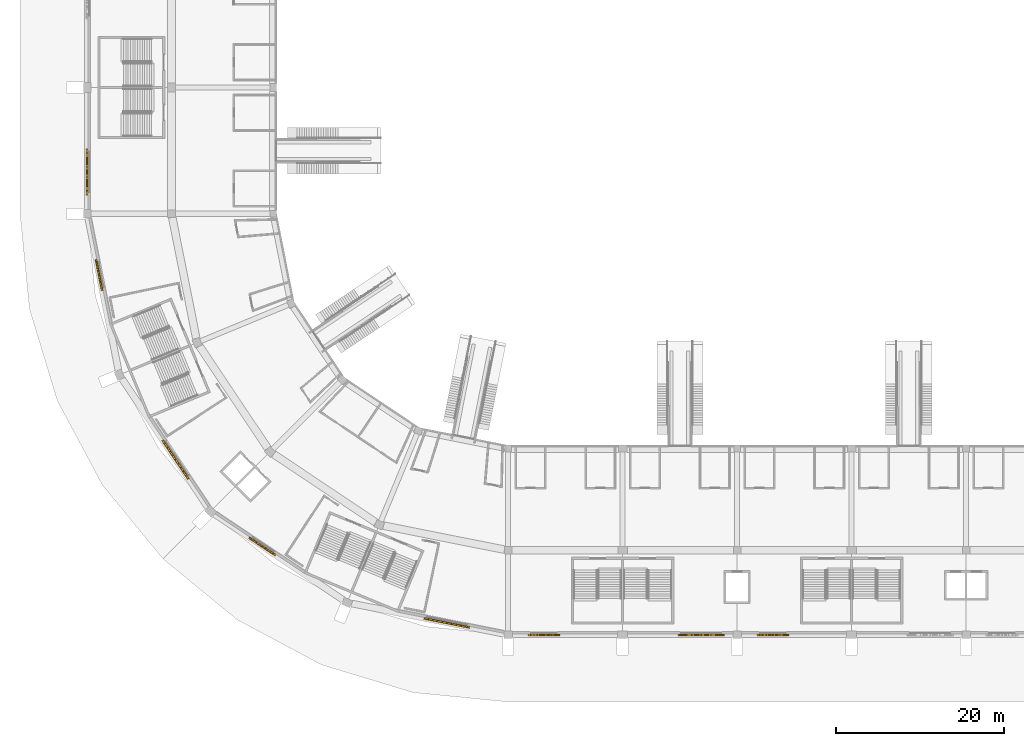
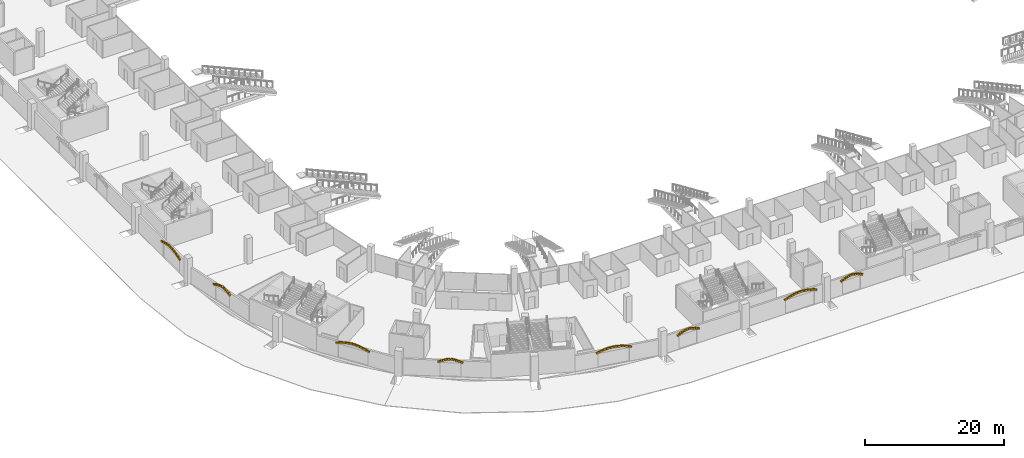
# One storey, part 168 of 175: 80 coverings.
"""IFC4 building model written with IfcOpenShell, lengths in metres."""

import ifcopenshell
import ifcopenshell.guid

model = None  # the IFC model being written
_history = None  # IfcOwnerHistory: only IFC2X3 demands one
_inside = {}  # id of a spatial element -> (the spatial element, [elements in it])
_under = {}  # id of a project, library or spatial element -> (it, [spatial elements below it])
_declared = {}  # id of a project -> (the project, [libraries it declares])
_typed = {}  # id of a type object -> (the type object, [elements of that type])
_made_of = {}  # id of a material, layer set ... -> (it, [elements and type objects made of it])


def new_model(schema):
    """Start an empty IFC model of exactly this schema.

    Asked for "IFC4X3", IfcOpenShell would pick the latest addendum, in which some entities
    have other attributes; the version numbers below select the first issue.
    IFC2X3 requires an IfcOwnerHistory on every rooted entity: one is made here for all.
    """
    global model, _history
    if schema == "IFC4X3":
        model = ifcopenshell.file(schema_version=(4, 3, 0, 0))
    else:
        model = ifcopenshell.file(schema=schema)
    _inside.clear()
    _under.clear()
    _declared.clear()
    _typed.clear()
    _made_of.clear()
    _history = None
    if model.schema == "IFC2X3":
        org = make("IfcOrganization", Name="unknown")
        user = make(
            "IfcPersonAndOrganization",
            ThePerson=make("IfcPerson", FamilyName="unknown"),
            TheOrganization=org,
        )
        app = make(
            "IfcApplication",
            ApplicationDeveloper=org,
            Version="unknown",
            ApplicationFullName="unknown",
            ApplicationIdentifier="unknown",
        )
        _history = make(
            "IfcOwnerHistory",
            OwningUser=user,
            OwningApplication=app,
            ChangeAction="ADDED",
            CreationDate=0,
        )
    return model


def make(cls, **values):
    """One entity of the class cls with the attributes given. An attribute that is None is left unset."""
    return model.create_entity(
        cls, **{name: value for name, value in values.items() if value is not None}
    )


def rooted(cls, **values):
    """An entity with a GlobalId (a new one), such as an element, a storey or a relation."""
    return make(cls, GlobalId=ifcopenshell.guid.new(), OwnerHistory=_history, **values)


def si_unit(unit_type, name, prefix=None):
    """IfcSIUnit, for example si_unit("LENGTHUNIT", "METRE", prefix="MILLI")."""
    return make("IfcSIUnit", UnitType=unit_type, Prefix=prefix, Name=name)


def assignment(units):
    """IfcUnitAssignment: the units of a project."""
    return None if units is None else make("IfcUnitAssignment", Units=units)


def point(xyz):
    """IfcCartesianPoint."""
    return None if xyz is None else make("IfcCartesianPoint", Coordinates=xyz)


def direction(xyz):
    """IfcDirection."""
    return None if xyz is None else make("IfcDirection", DirectionRatios=xyz)


def frame(location, z_axis=None, x_axis=None):
    """IfcAxis2Placement3D, a coordinate frame: its origin and axes. An axis left out is left unset."""
    return make(
        "IfcAxis2Placement3D",
        Location=point(location),
        Axis=direction(z_axis),
        RefDirection=direction(x_axis),
    )


def frame_2d(location, x_axis=None):
    """IfcAxis2Placement2D, a coordinate frame in the plane: its origin and x axis."""
    return make(
        "IfcAxis2Placement2D", Location=point(location), RefDirection=direction(x_axis)
    )


def origin():
    """The frame at (0, 0, 0) with its axes left unset."""
    return frame((0.0, 0.0, 0.0))


def origin_2d():
    """The frame at (0, 0) in the plane with its x axis left unset."""
    return frame_2d((0.0, 0.0))


def place(relative_to, where):
    """IfcLocalPlacement: puts the frame where relative to a parent placement (None: the world)."""
    return make(
        "IfcLocalPlacement", PlacementRelTo=relative_to, RelativePlacement=where
    )


def context(
    kind, dimensions, precision=None, world=None, true_north=None, identifier=None
):
    """IfcGeometricRepresentationContext, for example the 3D "Model" context."""
    return make(
        "IfcGeometricRepresentationContext",
        ContextIdentifier=identifier,
        ContextType=kind,
        CoordinateSpaceDimension=dimensions,
        Precision=precision,
        WorldCoordinateSystem=world,
        TrueNorth=true_north,
    )


def subcontext(parent, identifier, kind, view, scale=None):
    """IfcGeometricRepresentationSubContext, for example "Body" below "Model"."""
    return make(
        "IfcGeometricRepresentationSubContext",
        ContextIdentifier=identifier,
        ContextType=kind,
        ParentContext=parent,
        TargetScale=scale,
        TargetView=view,
    )


def project(units=None, contexts=None):
    """IfcProject with its units and contexts."""
    return rooted(
        "IfcProject",
        Name="project",
        RepresentationContexts=contexts,
        UnitsInContext=assignment(units),
    )


def spatial(cls, under=None, at=None, **own):
    """A site, building, storey or space (cls), placed at a placement, below another one or the project."""
    s = rooted(cls, ObjectPlacement=at, **own)
    if under is not None:
        _under.setdefault(under.id(), (under, []))[1].append(s)
    return s


def profile(cls, at=None, kind="AREA", **sizes):
    """A parametric profile (cls). Its sizes go by their IFC names, for example OverallWidth=200.0."""
    return make(cls, ProfileType=kind, Position=at, **sizes)


def rectangle(**sizes):
    """IfcRectangleProfileDef."""
    return profile("IfcRectangleProfileDef", **sizes)


def extrude(swept, where, along, depth):
    """IfcExtrudedAreaSolid: the profile swept, set in the frame where, extruded along a direction by depth."""
    return make(
        "IfcExtrudedAreaSolid",
        SweptArea=swept,
        Position=where,
        ExtrudedDirection=direction(along),
        Depth=depth,
    )


def shape(context_of_items, identifier, shape_type, items):
    """IfcShapeRepresentation: the items that make up one representation, for example the "Body"."""
    return make(
        "IfcShapeRepresentation",
        ContextOfItems=context_of_items,
        RepresentationIdentifier=identifier,
        RepresentationType=shape_type,
        Items=items,
    )


def material(Name=None, Category=None):
    """IfcMaterial."""
    return make("IfcMaterial", Name=Name, Category=Category)


def material_profile(
    of_material, cross_section, Name=None, Category=None, Priority=None
):
    """IfcMaterialProfile: a cross section and its material."""
    return make(
        "IfcMaterialProfile",
        Name=Name,
        Material=of_material,
        Profile=cross_section,
        Priority=Priority,
        Category=Category,
    )


def profile_set(profiles, Name=None, composite=None):
    """IfcMaterialProfileSet."""
    return make(
        "IfcMaterialProfileSet",
        Name=Name,
        MaterialProfiles=profiles,
        CompositeProfile=composite,
    )


def made_of(thing, what):
    """Note that an element or type object is made of a material, layer set ...; save() writes the relation."""
    if what is not None:
        _made_of.setdefault(what.id(), (what, []))[1].append(thing)
    return thing


def type_object(cls, material=None, **own):
    """A type object (cls), such as IfcWallType, which elements share."""
    return made_of(rooted(cls, **own), material)


def element(
    cls,
    number,
    at=None,
    inside=None,
    cuts=None,
    type_object=None,
    material=None,
    context=None,
    identifier="Body",
    shape_type=None,
    held_by="IfcProductDefinitionShape",
    body=None,
    shapes=None,
    **own,
):
    """One element of the class cls, such as IfcWall. Its Tag is "e" and its number.

    at: its placement. inside: the storey or other place that contains it. cuts: it is an
    opening in that element (IfcRelVoidsElement). A single representation is given by context,
    identifier, shape_type and body (its items); several are given by shapes. held_by: the class
    of the entity that holds the representations. save() writes the other relations.
    """
    e = rooted(cls, Tag="e%d" % number, ObjectPlacement=at, **own)
    if body is not None:
        shapes = [shape(context, identifier, shape_type, body)]
    if shapes is not None:
        e.Representation = make(held_by, Representations=shapes)
    if inside is not None:
        _inside.setdefault(inside.id(), (inside, []))[1].append(e)
    if cuts is not None:
        rooted(
            "IfcRelVoidsElement", RelatingBuildingElement=cuts, RelatedOpeningElement=e
        )
    if type_object is not None:
        _typed.setdefault(type_object.id(), (type_object, []))[1].append(e)
    return made_of(e, material)


def aggregate(whole, parts):
    """IfcRelAggregates: a whole, such as a stair, and the parts it consists of."""
    return rooted("IfcRelAggregates", RelatingObject=whole, RelatedObjects=parts)


def save(model, path):
    """Write the relations noted so far, then the file.

    IfcRelAggregates (storeys below a building ...), IfcRelContainedInSpatialStructure (elements
    in a storey), IfcRelDefinesByType, IfcRelAssociatesMaterial and IfcRelDeclares: one each for
    every whole, place, type object, material and project.
    """
    for whole, parts in _under.values():
        aggregate(whole, parts)
    for where, things in _inside.values():
        rooted(
            "IfcRelContainedInSpatialStructure",
            RelatedElements=things,
            RelatingStructure=where,
        )
    for kind, things in _typed.values():
        rooted("IfcRelDefinesByType", RelatedObjects=things, RelatingType=kind)
    for what, things in _made_of.values():
        rooted("IfcRelAssociatesMaterial", RelatedObjects=things, RelatingMaterial=what)
    for by, libraries in _declared.values():
        rooted("IfcRelDeclares", RelatingContext=by, RelatedDefinitions=libraries)
    model.write(path)


model = new_model("IFC4")

# Units and contexts
model_context = context("Model", 3, precision=1e-05, world=origin(), true_north=direction((0.0, 1.0)))
body_context = subcontext(model_context, "Body", "Model", "MODEL_VIEW")
ifc_project = project(units=[si_unit("LENGTHUNIT", "METRE"), si_unit("AREAUNIT", "SQUARE_METRE"), si_unit("VOLUMEUNIT", "CUBIC_METRE"), si_unit("PLANEANGLEUNIT", "RADIAN"), si_unit("MASSUNIT", "GRAM", prefix="KILO")], contexts=[model_context])

# Site, building, storey
site_placement = place(None, origin())
site = spatial("IfcSite", under=ifc_project, at=site_placement, CompositionType="ELEMENT")
building_placement = place(site_placement, origin())
building = spatial("IfcBuilding", under=site, at=building_placement, Name="Ogive Plaza Stadium", CompositionType="ELEMENT")
storey_placement = place(building_placement, origin())
storey = spatial("IfcBuildingStorey", under=building, at=storey_placement, Name="L00", CompositionType="ELEMENT", Elevation=0.0)

# Coverings
ifc_material = material(Name="Cast stone (reconstituted limestone)", Category="masonry")
ifc_material_profile = material_profile(ifc_material, rectangle(XDim=0.199951171875, YDim=0.300048828125, at=origin_2d()), Name="Cast stone 200x300")
ifc_profile_set = profile_set([ifc_material_profile], Name="Cast stone (reconstituted limestone)")
covering_type = type_object("IfcCoveringType", Name="Portal arch rib 200x300", PredefinedType="MOLDING", material=ifc_profile_set)
covering_1_placement = place(storey_placement, frame((-0.718017578125, -102.550048828125, 2.532958984375), z_axis=(-0.885870063545, 0.0, 0.463933433279), x_axis=(0.0, -1.0, 0.0)))
element("IfcCovering", 1, at=covering_1_placement, inside=storey, type_object=covering_type, Name="PORTAL ARCH B14 1", PredefinedType="MOLDING", context=body_context, shape_type="SweptSolid", body=[
    extrude(rectangle(XDim=0.199951171875, YDim=0.300048828125, at=origin_2d()), origin(), (0.0, 0.0, 1.0), 0.3720703125),
])
covering_2_placement = place(storey_placement, frame((-1.057861328125, -102.550048828125, 2.71044921875), z_axis=(-0.918771491846, 0.0, 0.394789748816), x_axis=(0.0, -1.0, 0.0)))
element("IfcCovering", 2, at=covering_2_placement, inside=storey, type_object=covering_type, Name="PORTAL ARCH B14 2", PredefinedType="MOLDING", context=body_context, shape_type="SweptSolid", body=[
    extrude(rectangle(XDim=0.199951171875, YDim=0.300048828125, at=origin_2d()), origin(), (0.0, 0.0, 1.0), 0.372314453125),
])
for number, where, z_axis, x_axis, name in (
    (3, (-1.410400390625, -102.550048828125, 2.861572265625), (-0.946026425691, 0.0, 0.324089496735), (0.0, -1.0, 0.0), "PORTAL ARCH B14 3"),
    (4, (-1.7734375, -102.550048828125, 2.985595703125), (-0.96790236306, 0.0, 0.2513265119), (0.0, -1.0, 0.0), "PORTAL ARCH B14 4"),
):
    element("IfcCovering", number, at=place(storey_placement, frame(where, z_axis=z_axis, x_axis=x_axis)), inside=storey, type_object=covering_type, Name=name, PredefinedType="MOLDING", context=body_context, shape_type="SweptSolid", body=[
        extrude(rectangle(XDim=0.199951171875, YDim=0.300048828125, at=origin_2d()), origin(), (0.0, 0.0, 1.0), 0.3720703125),
    ])
covering_3_placement = place(storey_placement, frame((-2.14453125, -102.550048828125, 3.08154296875), z_axis=(-0.984089453269, 0.0, 0.177673712083), x_axis=(0.0, -1.0, 0.0)))
element("IfcCovering", 5, at=covering_3_placement, inside=storey, type_object=covering_type, Name="PORTAL ARCH B14 5", PredefinedType="MOLDING", context=body_context, shape_type="SweptSolid", body=[
    extrude(rectangle(XDim=0.199951171875, YDim=0.300048828125, at=origin_2d()), origin(), (0.0, 0.0, 1.0), 0.372314453125),
])
covering_4_placement = place(storey_placement, frame((-2.564208984375, -102.550048828125, 3.147705078125), z_axis=(-0.984068736563, 0.0, -0.177788418406), x_axis=(0.0, -1.0, 0.0)))
element("IfcCovering", 6, at=covering_4_placement, inside=storey, type_object=covering_type, Name="PORTAL ARCH B14 6", PredefinedType="MOLDING", context=body_context, shape_type="SweptSolid", body=[
    extrude(rectangle(XDim=0.199951171875, YDim=0.300048828125, at=origin_2d()), origin(), (0.0, 0.0, 1.0), 0.3720703125),
])
covering_5_placement = place(storey_placement, frame((-2.94140625, -102.550048828125, 3.0791015625), z_axis=(-0.967943772802, 0.0, -0.251166981696), x_axis=(0.0, -1.0, 0.0)))
element("IfcCovering", 7, at=covering_5_placement, inside=storey, type_object=covering_type, Name="PORTAL ARCH B14 7", PredefinedType="MOLDING", context=body_context, shape_type="SweptSolid", body=[
    extrude(rectangle(XDim=0.199951171875, YDim=0.300048828125, at=origin_2d()), origin(), (0.0, 0.0, 1.0), 0.372314453125),
])
for number, where, z_axis, x_axis, name in (
    (8, (-3.3125, -102.550048828125, 2.982177734375), (-0.946026425691, 0.0, -0.324089496735), (0.0, -1.0, 0.0), "PORTAL ARCH B14 8"),
    (9, (-3.67529296875, -102.550048828125, 2.857421875), (-0.91866918758, 0.0, -0.395027750659), (0.0, -1.0, 0.0), "PORTAL ARCH B14 9"),
):
    element("IfcCovering", number, at=place(storey_placement, frame(where, z_axis=z_axis, x_axis=x_axis)), inside=storey, type_object=covering_type, Name=name, PredefinedType="MOLDING", context=body_context, shape_type="SweptSolid", body=[
        extrude(rectangle(XDim=0.199951171875, YDim=0.300048828125, at=origin_2d()), origin(), (0.0, 0.0, 1.0), 0.3720703125),
    ])
covering_6_placement = place(storey_placement, frame((-4.02734375, -102.550048828125, 2.70556640625), z_axis=(-0.886011177193, 0.0, -0.463663880293), x_axis=(0.0, -1.0, 0.0)))
element("IfcCovering", 10, at=covering_6_placement, inside=storey, type_object=covering_type, Name="PORTAL ARCH B14 10", PredefinedType="MOLDING", context=body_context, shape_type="SweptSolid", body=[
    extrude(rectangle(XDim=0.199951171875, YDim=0.300048828125, at=origin_2d()), origin(), (0.0, 0.0, 1.0), 0.372314453125),
])
for number, where, z_axis, x_axis, name in (
    (11, (-8.358154296875, -102.550048828125, 2.539794921875), (-0.932398184034, 0.0, 0.361432741199), (0.0, -1.0, 0.0), "PORTAL ARCH B15 1"),
    (12, (-8.878173828125, -102.550048828125, 2.740966796875), (-0.956337693461, 0.0, 0.29226394931), (0.0, -1.0, 0.0), "PORTAL ARCH B15 2"),
    (13, (-9.411376953125, -102.550048828125, 2.9033203125), (-0.975242447538, 0.0, 0.221138347014), (0.0, -1.0, 0.0), "PORTAL ARCH B15 3"),
    (14, (-9.955078125, -102.550048828125, 3.026123046875), (-0.988933074819, 0.0, 0.148362304944), (0.0, -1.0, 0.0), "PORTAL ARCH B15 4"),
    (15, (-10.50634765625, -102.550048828125, 3.1083984375), (-0.997145746443, 0.0, 0.075500730801), (0.0, -1.0, 0.0), "PORTAL ARCH B15 5"),
    (16, (-11.07373046875, -102.550048828125, 3.149658203125), (-0.997145746443, 0.0, -0.075500730801), (0.0, -1.0, 0.0), "PORTAL ARCH B15 6"),
    (17, (-11.629638671875, -102.550048828125, 3.107177734375), (-0.988933074819, 0.0, -0.148362304944), (0.0, -1.0, 0.0), "PORTAL ARCH B15 7"),
    (18, (-12.1806640625, -102.550048828125, 3.024169921875), (-0.975242447538, 0.0, -0.221138347014), (0.0, -1.0, 0.0), "PORTAL ARCH B15 8"),
    (19, (-12.724365234375, -102.550048828125, 2.900634765625), (-0.956337693461, 0.0, -0.29226394931), (0.0, -1.0, 0.0), "PORTAL ARCH B15 9"),
    (20, (-13.25732421875, -102.550048828125, 2.7373046875), (-0.932398184034, 0.0, -0.361432741199), (0.0, -1.0, 0.0), "PORTAL ARCH B15 10"),
):
    element("IfcCovering", number, at=place(storey_placement, frame(where, z_axis=z_axis, x_axis=x_axis)), inside=storey, type_object=covering_type, Name=name, PredefinedType="MOLDING", context=body_context, shape_type="SweptSolid", body=[
        extrude(rectangle(XDim=0.199951171875, YDim=0.300048828125, at=origin_2d()), origin(), (0.0, 0.0, 1.0), 0.54638671875),
    ])
covering_7_placement = place(storey_placement, frame((-27.91796875, -102.550048828125, 2.532958984375), z_axis=(-0.885870063545, 0.0, 0.463933433279), x_axis=(0.0, -1.0, 0.0)))
element("IfcCovering", 21, at=covering_7_placement, inside=storey, type_object=covering_type, Name="PORTAL ARCH B16 1", PredefinedType="MOLDING", context=body_context, shape_type="SweptSolid", body=[
    extrude(rectangle(XDim=0.199951171875, YDim=0.300048828125, at=origin_2d()), origin(), (0.0, 0.0, 1.0), 0.3720703125),
])
covering_8_placement = place(storey_placement, frame((-28.2578125, -102.550048828125, 2.71044921875), z_axis=(-0.918771491846, 0.0, 0.394789748816), x_axis=(0.0, -1.0, 0.0)))
element("IfcCovering", 22, at=covering_8_placement, inside=storey, type_object=covering_type, Name="PORTAL ARCH B16 2", PredefinedType="MOLDING", context=body_context, shape_type="SweptSolid", body=[
    extrude(rectangle(XDim=0.199951171875, YDim=0.300048828125, at=origin_2d()), origin(), (0.0, 0.0, 1.0), 0.372314453125),
])
for number, where, z_axis, x_axis, name in (
    (23, (-28.6103515625, -102.550048828125, 2.861572265625), (-0.946026425691, 0.0, 0.324089496735), (0.0, -1.0, 0.0), "PORTAL ARCH B16 3"),
    (24, (-28.973388671875, -102.550048828125, 2.985595703125), (-0.96790236306, 0.0, 0.2513265119), (0.0, -1.0, 0.0), "PORTAL ARCH B16 4"),
    (25, (-29.3447265625, -102.550048828125, 3.08154296875), (-0.984068736563, 0.0, 0.177788418406), (0.0, -1.0, 0.0), "PORTAL ARCH B16 5"),
    (26, (-29.76416015625, -102.550048828125, 3.147705078125), (-0.984068736563, 0.0, -0.177788418406), (0.0, -1.0, 0.0), "PORTAL ARCH B16 6"),
    (27, (-30.1416015625, -102.550048828125, 3.0791015625), (-0.96790236306, 0.0, -0.2513265119), (0.0, -1.0, 0.0), "PORTAL ARCH B16 7"),
    (28, (-30.512451171875, -102.550048828125, 2.982177734375), (-0.946026425691, 0.0, -0.324089496735), (0.0, -1.0, 0.0), "PORTAL ARCH B16 8"),
    (29, (-30.875244140625, -102.550048828125, 2.857421875), (-0.91866918758, 0.0, -0.395027750659), (0.0, -1.0, 0.0), "PORTAL ARCH B16 9"),
):
    element("IfcCovering", number, at=place(storey_placement, frame(where, z_axis=z_axis, x_axis=x_axis)), inside=storey, type_object=covering_type, Name=name, PredefinedType="MOLDING", context=body_context, shape_type="SweptSolid", body=[
        extrude(rectangle(XDim=0.199951171875, YDim=0.300048828125, at=origin_2d()), origin(), (0.0, 0.0, 1.0), 0.3720703125),
    ])
covering_9_placement = place(storey_placement, frame((-31.227294921875, -102.550048828125, 2.70556640625), z_axis=(-0.886011177193, 0.0, -0.463663880293), x_axis=(0.0, -1.0, 0.0)))
element("IfcCovering", 30, at=covering_9_placement, inside=storey, type_object=covering_type, Name="PORTAL ARCH B16 10", PredefinedType="MOLDING", context=body_context, shape_type="SweptSolid", body=[
    extrude(rectangle(XDim=0.199951171875, YDim=0.300048828125, at=origin_2d()), origin(), (0.0, 0.0, 1.0), 0.372314453125),
])
covering_10_placement = place(storey_placement, frame((-38.627197265625, -101.630615234375, 2.539794921875), z_axis=(-0.914428042897, 0.181902352619, 0.361570032602), x_axis=(-0.195101986683, -0.980782960085, 0.0)))
element("IfcCovering", 31, at=covering_10_placement, inside=storey, type_object=covering_type, Name="PORTAL ARCH B17 1", PredefinedType="MOLDING", context=body_context, shape_type="SweptSolid", body=[
    extrude(rectangle(XDim=0.199951171875, YDim=0.300048828125, at=origin_2d()), origin(), (0.0, 0.0, 1.0), 0.546142578125),
])
covering_11_placement = place(storey_placement, frame((-39.136962890625, -101.529052734375, 2.740966796875), z_axis=(-0.938060562207, 0.186272025924, 0.292138860802), x_axis=(-0.194768629667, -0.98084921415, 0.0)))
element("IfcCovering", 32, at=covering_11_placement, inside=storey, type_object=covering_type, Name="PORTAL ARCH B17 2", PredefinedType="MOLDING", context=body_context, shape_type="SweptSolid", body=[
    extrude(rectangle(XDim=0.199951171875, YDim=0.300048828125, at=origin_2d()), origin(), (0.0, 0.0, 1.0), 0.546630859375),
])
covering_12_placement = place(storey_placement, frame((-39.659912109375, -101.425048828125, 2.9033203125), z_axis=(-0.95657303227, 0.189884884967, 0.221160042491), x_axis=(-0.194706294166, -0.98086159014, 0.0)))
element("IfcCovering", 33, at=covering_12_placement, inside=storey, type_object=covering_type, Name="PORTAL ARCH B17 3", PredefinedType="MOLDING", context=body_context, shape_type="SweptSolid", body=[
    extrude(rectangle(XDim=0.199951171875, YDim=0.300048828125, at=origin_2d()), origin(), (0.0, 0.0, 1.0), 0.54638671875),
])
covering_13_placement = place(storey_placement, frame((-40.193359375, -101.319091796875, 3.026123046875), z_axis=(-0.969896166051, 0.193085319693, 0.148389643838), x_axis=(-0.195246903436, -0.980754121428, 0.0)))
element("IfcCovering", 34, at=covering_13_placement, inside=storey, type_object=covering_type, Name="PORTAL ARCH B17 4", PredefinedType="MOLDING", context=body_context, shape_type="SweptSolid", body=[
    extrude(rectangle(XDim=0.199951171875, YDim=0.300048828125, at=origin_2d()), origin(), (0.0, 0.0, 1.0), 0.546142578125),
])
for number, where, z_axis, x_axis, name in (
    (35, (-40.73388671875, -101.21142578125, 3.1083984375), (-0.97802119736, 0.194353230174, 0.075507346895), (-0.194909649379, -0.980821201126, 0.0), "PORTAL ARCH B17 5"),
    (36, (-41.29052734375, -101.100830078125, 3.149658203125), (-0.97802119736, 0.194353230174, -0.075507346895), (-0.194909649379, -0.980821201126, 0.0), "PORTAL ARCH B17 6"),
):
    element("IfcCovering", number, at=place(storey_placement, frame(where, z_axis=z_axis, x_axis=x_axis)), inside=storey, type_object=covering_type, Name=name, PredefinedType="MOLDING", context=body_context, shape_type="SweptSolid", body=[
        extrude(rectangle(XDim=0.199951171875, YDim=0.300048828125, at=origin_2d()), origin(), (0.0, 0.0, 1.0), 0.54638671875),
    ])
covering_14_placement = place(storey_placement, frame((-41.835693359375, -100.992431640625, 3.107177734375), z_axis=(-0.969896166051, 0.193085319693, -0.148389643838), x_axis=(-0.195246903436, -0.980754121428, 0.0)))
element("IfcCovering", 37, at=covering_14_placement, inside=storey, type_object=covering_type, Name="PORTAL ARCH B17 7", PredefinedType="MOLDING", context=body_context, shape_type="SweptSolid", body=[
    extrude(rectangle(XDim=0.199951171875, YDim=0.300048828125, at=origin_2d()), origin(), (0.0, 0.0, 1.0), 0.546142578125),
])
for number, where, z_axis, x_axis, name in (
    (38, (-42.376220703125, -100.884765625, 3.024169921875), (-0.95657303227, 0.189884884967, -0.221160042491), (-0.194706294166, -0.98086159014, 0.0), "PORTAL ARCH B17 8"),
    (39, (-42.909423828125, -100.77880859375, 2.900634765625), (-0.937928708137, 0.186781419724, -0.292236958133), (-0.195307379443, -0.980742080027, 0.0), "PORTAL ARCH B17 9"),
):
    element("IfcCovering", number, at=place(storey_placement, frame(where, z_axis=z_axis, x_axis=x_axis)), inside=storey, type_object=covering_type, Name=name, PredefinedType="MOLDING", context=body_context, shape_type="SweptSolid", body=[
        extrude(rectangle(XDim=0.199951171875, YDim=0.300048828125, at=origin_2d()), origin(), (0.0, 0.0, 1.0), 0.54638671875),
    ])
covering_15_placement = place(storey_placement, frame((-43.43212890625, -100.6748046875, 2.7373046875), z_axis=(-0.914428042897, 0.181902352619, -0.361570032602), x_axis=(-0.195101986683, -0.980782960085, 0.0)))
element("IfcCovering", 40, at=covering_15_placement, inside=storey, type_object=covering_type, Name="PORTAL ARCH B17 10", PredefinedType="MOLDING", context=body_context, shape_type="SweptSolid", body=[
    extrude(rectangle(XDim=0.199951171875, YDim=0.300048828125, at=origin_2d()), origin(), (0.0, 0.0, 1.0), 0.546142578125),
])
for number, where, z_axis, x_axis, name in (
    (41, (-61.707275390625, -93.025634765625, 2.532958984375), (-0.736733594682, 0.492030450589, 0.463820704755), (-0.555383558036, -0.831594314232, 0.0), "PORTAL ARCH B18 1"),
    (42, (-61.989990234375, -92.8369140625, 2.71044921875), (-0.763778212162, 0.510497808472, 0.39501244306), (-0.555688769979, -0.831390396215, 0.0), "PORTAL ARCH B18 2"),
    (43, (-62.282958984375, -92.64111328125, 2.861572265625), (-0.786633308415, 0.525515663086, 0.324100795961), (-0.555500141576, -0.831516441635, 0.0), "PORTAL ARCH B18 3"),
):
    element("IfcCovering", number, at=place(storey_placement, frame(where, z_axis=z_axis, x_axis=x_axis)), inside=storey, type_object=covering_type, Name=name, PredefinedType="MOLDING", context=body_context, shape_type="SweptSolid", body=[
        extrude(rectangle(XDim=0.199951171875, YDim=0.300048828125, at=origin_2d()), origin(), (0.0, 0.0, 1.0), 0.3720703125),
    ])
covering_16_placement = place(storey_placement, frame((-62.584716796875, -92.439453125, 2.985595703125), z_axis=(-0.804764415052, 0.537821369472, 0.251201932327), x_axis=(-0.555638069208, -0.831424281608, 0.0)))
element("IfcCovering", 44, at=covering_16_placement, inside=storey, type_object=covering_type, Name="PORTAL ARCH B18 4", PredefinedType="MOLDING", context=body_context, shape_type="SweptSolid", body=[
    extrude(rectangle(XDim=0.199951171875, YDim=0.300048828125, at=origin_2d()), origin(), (0.0, 0.0, 1.0), 0.372314453125),
])
covering_17_placement = place(storey_placement, frame((-62.8935546875, -92.233154296875, 3.08154296875), z_axis=(-0.817989692207, 0.547075704331, 0.177766805604), x_axis=(-0.555930204256, -0.831228974469, 0.0)))
element("IfcCovering", 45, at=covering_17_placement, inside=storey, type_object=covering_type, Name="PORTAL ARCH B18 5", PredefinedType="MOLDING", context=body_context, shape_type="SweptSolid", body=[
    extrude(rectangle(XDim=0.199951171875, YDim=0.300048828125, at=origin_2d()), origin(), (0.0, 0.0, 1.0), 0.3720703125),
])
covering_18_placement = place(storey_placement, frame((-63.2421875, -92.0, 3.147705078125), z_axis=(-0.818499863145, 0.546322424679, -0.177735146564), x_axis=(-0.555161506596, -0.831742569305, 0.0)))
element("IfcCovering", 46, at=covering_18_placement, inside=storey, type_object=covering_type, Name="PORTAL ARCH B18 6", PredefinedType="MOLDING", context=body_context, shape_type="SweptSolid", body=[
    extrude(rectangle(XDim=0.199951171875, YDim=0.300048828125, at=origin_2d()), origin(), (0.0, 0.0, 1.0), 0.372314453125),
])
for number, where, z_axis, x_axis, name in (
    (47, (-63.55615234375, -91.79052734375, 3.0791015625), (-0.80453312997, 0.538105356097, -0.25133457486), (-0.555951241173, -0.831214904485, 0.0), "PORTAL ARCH B18 7"),
    (48, (-63.864501953125, -91.584228515625, 2.982177734375), (-0.786633308415, 0.525515663086, -0.324100795961), (-0.555500141576, -0.831516441635, 0.0), "PORTAL ARCH B18 8"),
    (49, (-64.166259765625, -91.3828125, 2.857421875), (-0.763778212162, 0.510497808472, -0.39501244306), (-0.555688769979, -0.831390396215, 0.0), "PORTAL ARCH B18 9"),
):
    element("IfcCovering", number, at=place(storey_placement, frame(where, z_axis=z_axis, x_axis=x_axis)), inside=storey, type_object=covering_type, Name=name, PredefinedType="MOLDING", context=body_context, shape_type="SweptSolid", body=[
        extrude(rectangle(XDim=0.199951171875, YDim=0.300048828125, at=origin_2d()), origin(), (0.0, 0.0, 1.0), 0.3720703125),
    ])
covering_19_placement = place(storey_placement, frame((-64.458984375, -91.187255859375, 2.70556640625), z_axis=(-0.736495739703, 0.492527426996, -0.463670959902), x_axis=(-0.555895342199, -0.831252289333, 0.0)))
element("IfcCovering", 50, at=covering_19_placement, inside=storey, type_object=covering_type, Name="PORTAL ARCH B18 10", PredefinedType="MOLDING", context=body_context, shape_type="SweptSolid", body=[
    extrude(rectangle(XDim=0.199951171875, YDim=0.300048828125, at=origin_2d()), origin(), (0.0, 0.0, 1.0), 0.372314453125),
])
covering_20_placement = place(storey_placement, frame((-72.012451171875, -83.96875, 2.539794921875), z_axis=(-0.517907069868, 0.775296605885, 0.361507178191), x_axis=(-0.831533797008, -0.555474161805, 0.0)))
element("IfcCovering", 51, at=covering_20_placement, inside=storey, type_object=covering_type, Name="PORTAL ARCH B19 1", PredefinedType="MOLDING", context=body_context, shape_type="SweptSolid", body=[
    extrude(rectangle(XDim=0.199951171875, YDim=0.300048828125, at=origin_2d()), origin(), (0.0, 0.0, 1.0), 0.54638671875),
])
covering_21_placement = place(storey_placement, frame((-72.30126953125, -83.536376953125, 2.740966796875), z_axis=(-0.531403454617, 0.79509398298, 0.292294246694), x_axis=(-0.831402638314, -0.555670453601, 0.0)))
element("IfcCovering", 52, at=covering_21_placement, inside=storey, type_object=covering_type, Name="PORTAL ARCH B19 2", PredefinedType="MOLDING", context=body_context, shape_type="SweptSolid", body=[
    extrude(rectangle(XDim=0.199951171875, YDim=0.300048828125, at=origin_2d()), origin(), (0.0, 0.0, 1.0), 0.546142578125),
])
covering_22_placement = place(storey_placement, frame((-72.597412109375, -83.093017578125, 2.9033203125), z_axis=(-0.54189495829, 0.81083210989, 0.22113602997), x_axis=(-0.831415485573, -0.555651230854, 0.0)))
element("IfcCovering", 53, at=covering_22_placement, inside=storey, type_object=covering_type, Name="PORTAL ARCH B19 3", PredefinedType="MOLDING", context=body_context, shape_type="SweptSolid", body=[
    extrude(rectangle(XDim=0.199951171875, YDim=0.300048828125, at=origin_2d()), origin(), (0.0, 0.0, 1.0), 0.54638671875),
])
covering_23_placement = place(storey_placement, frame((-72.899658203125, -82.640869140625, 3.026123046875), z_axis=(-0.549281491744, 0.82235796974, 0.148381981496), x_axis=(-0.831563273147, -0.555430034075, 0.0)))
element("IfcCovering", 54, at=covering_23_placement, inside=storey, type_object=covering_type, Name="PORTAL ARCH B19 4", PredefinedType="MOLDING", context=body_context, shape_type="SweptSolid", body=[
    extrude(rectangle(XDim=0.199951171875, YDim=0.300048828125, at=origin_2d()), origin(), (0.0, 0.0, 1.0), 0.546142578125),
])
covering_24_placement = place(storey_placement, frame((-73.205810546875, -82.1826171875, 3.1083984375), z_axis=(-0.553941556835, 0.829125427005, 0.075496873472), x_axis=(-0.831498491688, -0.555527009533, 0.0)))
element("IfcCovering", 55, at=covering_24_placement, inside=storey, type_object=covering_type, Name="PORTAL ARCH B19 5", PredefinedType="MOLDING", context=body_context, shape_type="SweptSolid", body=[
    extrude(rectangle(XDim=0.199951171875, YDim=0.300048828125, at=origin_2d()), origin(), (0.0, 0.0, 1.0), 0.546630859375),
])
covering_25_placement = place(storey_placement, frame((-73.521240234375, -81.710693359375, 3.149658203125), z_axis=(-0.553837015066, 0.829191011257, -0.075543547656), x_axis=(-0.831567211603, -0.555424137562, 0.0)))
element("IfcCovering", 56, at=covering_25_placement, inside=storey, type_object=covering_type, Name="PORTAL ARCH B19 6", PredefinedType="MOLDING", context=body_context, shape_type="SweptSolid", body=[
    extrude(rectangle(XDim=0.199951171875, YDim=0.300048828125, at=origin_2d()), origin(), (0.0, 0.0, 1.0), 0.546142578125),
])
covering_26_placement = place(storey_placement, frame((-73.829833984375, -81.24853515625, 3.107177734375), z_axis=(-0.549593466086, 0.822156079348, -0.148345553448), x_axis=(-0.831354528555, -0.555742429414, 0.0)))
element("IfcCovering", 57, at=covering_26_placement, inside=storey, type_object=covering_type, Name="PORTAL ARCH B19 7", PredefinedType="MOLDING", context=body_context, shape_type="SweptSolid", body=[
    extrude(rectangle(XDim=0.199951171875, YDim=0.300048828125, at=origin_2d()), origin(), (0.0, 0.0, 1.0), 0.54638671875),
])
covering_27_placement = place(storey_placement, frame((-74.13623046875, -80.790283203125, 3.024169921875), z_axis=(-0.541775613604, 0.810875382077, -0.22126974318), x_axis=(-0.831485714606, -0.555546133463, 0.0)))
element("IfcCovering", 58, at=covering_27_placement, inside=storey, type_object=covering_type, Name="PORTAL ARCH B19 8", PredefinedType="MOLDING", context=body_context, shape_type="SweptSolid", body=[
    extrude(rectangle(XDim=0.199951171875, YDim=0.300048828125, at=origin_2d()), origin(), (0.0, 0.0, 1.0), 0.546142578125),
])
for number, where, z_axis, x_axis, name in (
    (59, (-74.438232421875, -80.33837890625, 2.900634765625), (-0.531214665949, 0.795258288805, -0.292190404988), (-0.831546855489, -0.555454613021, 0.0), "PORTAL ARCH B19 9"),
    (60, (-74.734130859375, -79.895263671875, 2.7373046875), (-0.518233953801, 0.77511716366, -0.361423507436), (-0.831312417178, -0.55580542013, 0.0), "PORTAL ARCH B19 10"),
):
    element("IfcCovering", number, at=place(storey_placement, frame(where, z_axis=z_axis, x_axis=x_axis)), inside=storey, type_object=covering_type, Name=name, PredefinedType="MOLDING", context=body_context, shape_type="SweptSolid", body=[
        extrude(rectangle(XDim=0.199951171875, YDim=0.300048828125, at=origin_2d()), origin(), (0.0, 0.0, 1.0), 0.54638671875),
    ])
for number, where, z_axis, x_axis, name in (
    (61, (-82.248046875, -61.56396484375, 2.532958984375), (-0.172593804441, 0.868875274069, 0.46396889635), (-0.980836272657, -0.194833791321, 0.0), "PORTAL ARCH B20 1"),
    (62, (-82.314453125, -61.23046875, 2.71044921875), (-0.179153683257, 0.901018341069, 0.395056840003), (-0.980799859231, -0.195017014982, 0.0), "PORTAL ARCH B20 2"),
    (63, (-82.383056640625, -60.884765625, 2.861572265625), (-0.185024234657, 0.927745630515, 0.324120467804), (-0.980687231379, -0.195582602015, 0.0), "PORTAL ARCH B20 3"),
    (64, (-82.453857421875, -60.52880859375, 2.985595703125), (-0.18894115676, 0.949298103584, 0.251265496664), (-0.980762733237, -0.195203640064, 0.0), "PORTAL ARCH B20 4"),
):
    element("IfcCovering", number, at=place(storey_placement, frame(where, z_axis=z_axis, x_axis=x_axis)), inside=storey, type_object=covering_type, Name=name, PredefinedType="MOLDING", context=body_context, shape_type="SweptSolid", body=[
        extrude(rectangle(XDim=0.199951171875, YDim=0.300048828125, at=origin_2d()), origin(), (0.0, 0.0, 1.0), 0.3720703125),
    ])
for number, where, z_axis, x_axis, name in (
    (65, (-82.5263671875, -60.164794921875, 3.08154296875), (-0.192112603194, 0.965152736863, 0.177687766094), (-0.980759647752, -0.195219141842, 0.0), "PORTAL ARCH B20 5"),
    (66, (-82.608154296875, -59.75341796875, 3.147705078125), (-0.192112603194, 0.965152736863, -0.177687766094), (-0.980759647752, -0.195219141842, 0.0), "PORTAL ARCH B20 6"),
):
    element("IfcCovering", number, at=place(storey_placement, frame(where, z_axis=z_axis, x_axis=x_axis)), inside=storey, type_object=covering_type, Name=name, PredefinedType="MOLDING", context=body_context, shape_type="SweptSolid", body=[
        extrude(rectangle(XDim=0.199951171875, YDim=0.300048828125, at=origin_2d()), origin(), (0.0, 0.0, 1.0), 0.372314453125),
    ])
for number, where, z_axis, x_axis, name in (
    (67, (-82.681884765625, -59.38330078125, 3.0791015625), (-0.18894115676, 0.949298103584, -0.251265496664), (-0.980762733237, -0.195203640064, 0.0), "PORTAL ARCH B20 7"),
    (68, (-82.754150390625, -59.019287109375, 2.982177734375), (-0.185024234657, 0.927745630515, -0.324120467804), (-0.980687231379, -0.195582602015, 0.0), "PORTAL ARCH B20 8"),
    (69, (-82.824951171875, -58.66357421875, 2.857421875), (-0.179153683257, 0.901018341069, -0.395056840003), (-0.980799859231, -0.195017014982, 0.0), "PORTAL ARCH B20 9"),
    (70, (-82.8935546875, -58.318115234375, 2.70556640625), (-0.173230397569, 0.868776690838, -0.463916254096), (-0.980694464892, -0.195546328347, 0.0), "PORTAL ARCH B20 10"),
):
    element("IfcCovering", number, at=place(storey_placement, frame(where, z_axis=z_axis, x_axis=x_axis)), inside=storey, type_object=covering_type, Name=name, PredefinedType="MOLDING", context=body_context, shape_type="SweptSolid", body=[
        extrude(rectangle(XDim=0.199951171875, YDim=0.300048828125, at=origin_2d()), origin(), (0.0, 0.0, 1.0), 0.3720703125),
    ])
covering_28_placement = place(storey_placement, frame((-84.050048828125, -50.24169921875, 2.539794921875), z_axis=(0.0, 0.932339785038, 0.361583358627), x_axis=(-1.0, 0.0, 0.0)))
element("IfcCovering", 71, at=covering_28_placement, inside=storey, type_object=covering_type, Name="PORTAL ARCH B21 1", PredefinedType="MOLDING", context=body_context, shape_type="SweptSolid", body=[
    extrude(rectangle(XDim=0.199951171875, YDim=0.300048828125, at=origin_2d()), origin(), (0.0, 0.0, 1.0), 0.546142578125),
])
covering_29_placement = place(storey_placement, frame((-84.050048828125, -49.721923828125, 2.740966796875), z_axis=(0.0, 0.956375841274, 0.292139093972), x_axis=(-1.0, 0.0, 0.0)))
element("IfcCovering", 72, at=covering_29_placement, inside=storey, type_object=covering_type, Name="PORTAL ARCH B21 2", PredefinedType="MOLDING", context=body_context, shape_type="SweptSolid", body=[
    extrude(rectangle(XDim=0.199951171875, YDim=0.300048828125, at=origin_2d()), origin(), (0.0, 0.0, 1.0), 0.546630859375),
])
covering_30_placement = place(storey_placement, frame((-84.050048828125, -49.188720703125, 2.9033203125), z_axis=(0.0, 0.975242447538, 0.221138347014), x_axis=(-1.0, 0.0, 0.0)))
element("IfcCovering", 73, at=covering_30_placement, inside=storey, type_object=covering_type, Name="PORTAL ARCH B21 3", PredefinedType="MOLDING", context=body_context, shape_type="SweptSolid", body=[
    extrude(rectangle(XDim=0.199951171875, YDim=0.300048828125, at=origin_2d()), origin(), (0.0, 0.0, 1.0), 0.54638671875),
])
covering_31_placement = place(storey_placement, frame((-84.050048828125, -48.64501953125, 3.026123046875), z_axis=(0.0, 0.988942904622, 0.148296767992), x_axis=(-1.0, 0.0, 0.0)))
element("IfcCovering", 74, at=covering_31_placement, inside=storey, type_object=covering_type, Name="PORTAL ARCH B21 4", PredefinedType="MOLDING", context=body_context, shape_type="SweptSolid", body=[
    extrude(rectangle(XDim=0.199951171875, YDim=0.300048828125, at=origin_2d()), origin(), (0.0, 0.0, 1.0), 0.546630859375),
])
for number, where, z_axis, x_axis, name in (
    (75, (-84.050048828125, -48.093505859375, 3.1083984375), (0.0, 0.997143198104, 0.075534379417), (-1.0, 0.0, 0.0), "PORTAL ARCH B21 5"),
    (76, (-84.050048828125, -47.526123046875, 3.149658203125), (0.0, 0.997143198104, -0.075534379417), (-1.0, 0.0, 0.0), "PORTAL ARCH B21 6"),
):
    element("IfcCovering", number, at=place(storey_placement, frame(where, z_axis=z_axis, x_axis=x_axis)), inside=storey, type_object=covering_type, Name=name, PredefinedType="MOLDING", context=body_context, shape_type="SweptSolid", body=[
        extrude(rectangle(XDim=0.199951171875, YDim=0.300048828125, at=origin_2d()), origin(), (0.0, 0.0, 1.0), 0.546142578125),
    ])
for number, where, z_axis, x_axis, name in (
    (77, (-84.050048828125, -46.970458984375, 3.107177734375), (0.0, 0.988933074819, -0.148362304944), (-1.0, 0.0, 0.0), "PORTAL ARCH B21 7"),
    (78, (-84.050048828125, -46.419189453125, 3.024169921875), (0.0, 0.975242447538, -0.221138347014), (-1.0, 0.0, 0.0), "PORTAL ARCH B21 8"),
):
    element("IfcCovering", number, at=place(storey_placement, frame(where, z_axis=z_axis, x_axis=x_axis)), inside=storey, type_object=covering_type, Name=name, PredefinedType="MOLDING", context=body_context, shape_type="SweptSolid", body=[
        extrude(rectangle(XDim=0.199951171875, YDim=0.300048828125, at=origin_2d()), origin(), (0.0, 0.0, 1.0), 0.54638671875),
    ])
covering_32_placement = place(storey_placement, frame((-84.050048828125, -45.875732421875, 2.900634765625), z_axis=(0.0, 0.956375841274, -0.292139093972), x_axis=(-1.0, 0.0, 0.0)))
element("IfcCovering", 79, at=covering_32_placement, inside=storey, type_object=covering_type, Name="PORTAL ARCH B21 9", PredefinedType="MOLDING", context=body_context, shape_type="SweptSolid", body=[
    extrude(rectangle(XDim=0.199951171875, YDim=0.300048828125, at=origin_2d()), origin(), (0.0, 0.0, 1.0), 0.546630859375),
])
covering_33_placement = place(storey_placement, frame((-84.050048828125, -45.3427734375, 2.7373046875), z_axis=(0.0, 0.932398184034, -0.361432741199), x_axis=(-1.0, 0.0, 0.0)))
element("IfcCovering", 80, at=covering_33_placement, inside=storey, type_object=covering_type, Name="PORTAL ARCH B21 10", PredefinedType="MOLDING", context=body_context, shape_type="SweptSolid", body=[
    extrude(rectangle(XDim=0.199951171875, YDim=0.300048828125, at=origin_2d()), origin(), (0.0, 0.0, 1.0), 0.54638671875),
])

save(model, "model.ifc")
